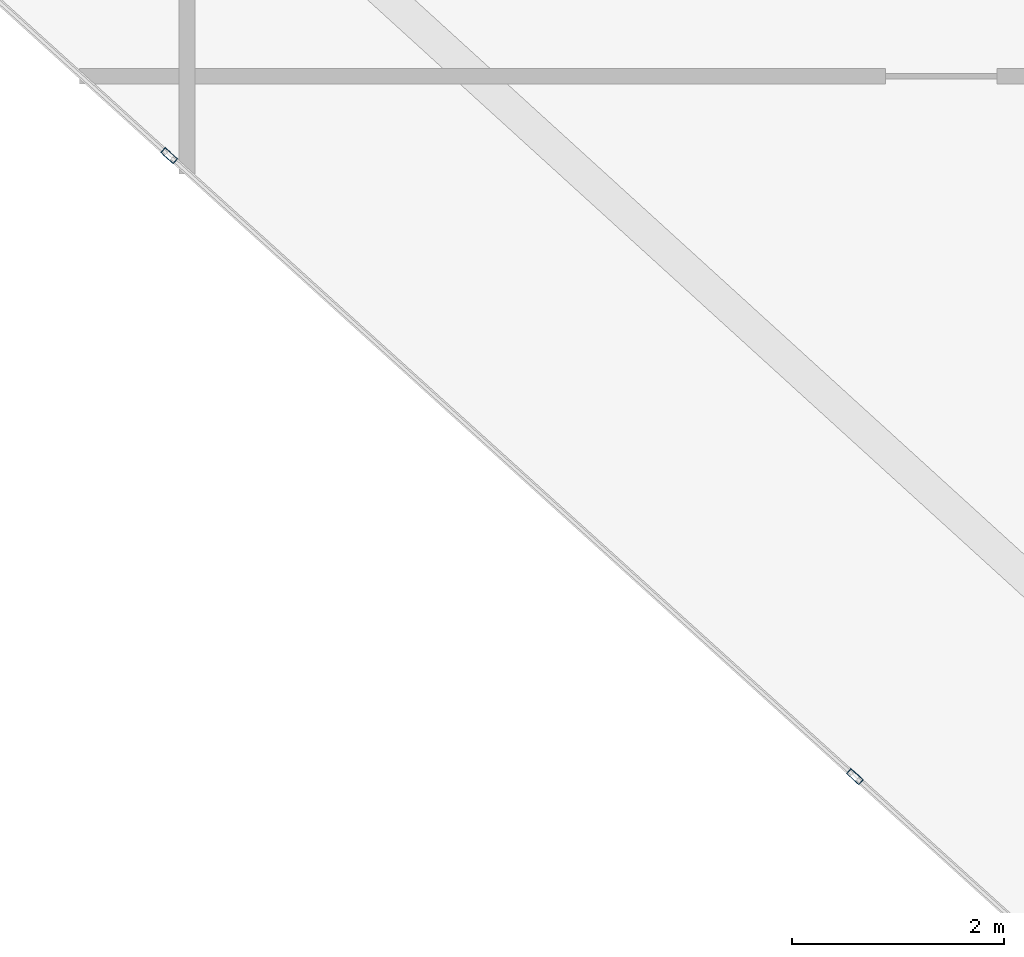
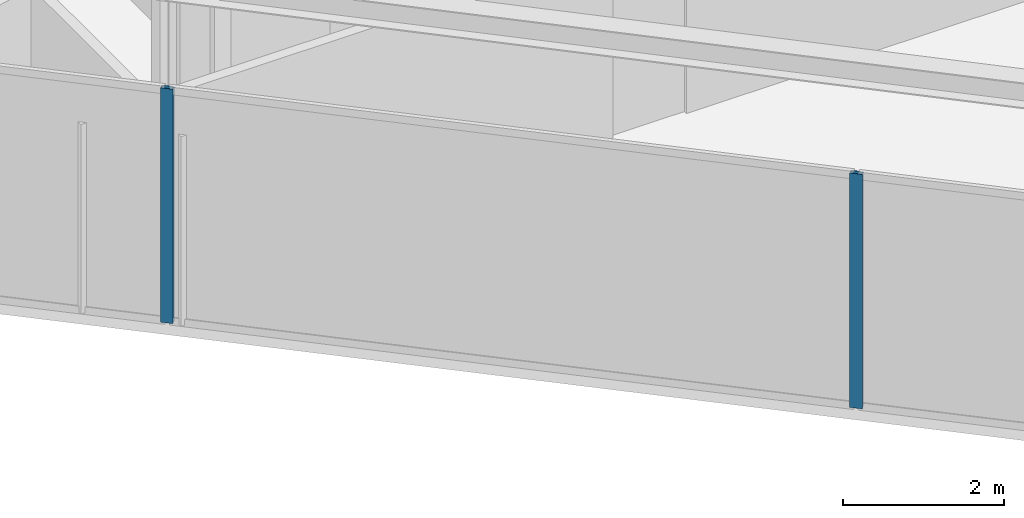
# One storey, part 3 of 16: 2 members, 1 element without a shape of its own.
"""IFC4 building model written with IfcOpenShell, lengths in metres."""

from ifc_helpers import new_model, si_unit, direction, frame, origin, origin_2d, place, context, subcontext, project, spatial, hollow_rectangle, extrude, material, layer, layer_set, material_profile, profile_set, type_object, element, aggregate, save


model = new_model("IFC4")

# Units and contexts
model_context = context("Model", 3, precision=1e-05, world=origin(), true_north=direction((0.0, 1.0)))
body_context = subcontext(model_context, "Body", "Model", "MODEL_VIEW")
ifc_project = project(units=[si_unit("LENGTHUNIT", "METRE"), si_unit("AREAUNIT", "SQUARE_METRE"), si_unit("VOLUMEUNIT", "CUBIC_METRE"), si_unit("PLANEANGLEUNIT", "RADIAN"), si_unit("MASSUNIT", "GRAM", prefix="KILO")], contexts=[model_context])

# Site, building, storey
site_placement = place(None, origin())
site = spatial("IfcSite", under=ifc_project, at=site_placement, CompositionType="ELEMENT")
building_placement = place(site_placement, origin())
building = spatial("IfcBuilding", under=site, at=building_placement, Name="Qianvela Tower", CompositionType="ELEMENT")
storey_placement = place(building_placement, frame((0.0, 0.0, 367.550048828125)))
storey = spatial("IfcBuildingStorey", under=building, at=storey_placement, Name="L95", CompositionType="ELEMENT", Elevation=367.550048828125)

# Curtain wall, members
ifc_material_1 = material(Name="Anodised Architectural Aluminium and Low-E Glass", Category="aluminium")
ifc_layer = layer(ifc_material_1, 0.159912109375)
ifc_layer_set = layer_set([ifc_layer], Name="Anodised Architectural Aluminium and Low-E Glass")
curtain_wall_type = type_object("IfcCurtainWallType", Name="CW-CROWN", PredefinedType="USERDEFINED", material=ifc_layer_set)
curtain_wall_placement = place(storey_placement, origin())
curtain_wall = element("IfcCurtainWall", 1, at=curtain_wall_placement, inside=storey, type_object=curtain_wall_type, Name="L95 CW-CROWN Curtain Wall 04", ObjectType="CURTAIN_WALL_SYSTEM", PredefinedType="USERDEFINED")
ifc_material_2 = material(Name="Anodised Architectural Aluminium 6063-T6", Category="aluminium")
ifc_material_profile = material_profile(ifc_material_2, hollow_rectangle(XDim=0.06494140625, YDim=0.159912109375, WallThickness=0.0048828125, at=origin_2d()), Name="ALU-MULL-65x160")
ifc_profile_set = profile_set([ifc_material_profile], Name="Anodised Architectural Aluminium 6063-T6")
member_type = type_object("IfcMemberType", Name="CW-CROWN-MULL", PredefinedType="MULLION", material=ifc_profile_set)
member_1_placement = place(storey_placement, frame((26.060546875, 19.880126953125, 0.0), z_axis=(0.0, 0.0, 1.0), x_axis=(0.671204546538, 0.741272188003, 0.0)))
member_1 = element("IfcMember", 2, at=member_1_placement, type_object=member_type, Name="CW-8 mullion 2", PredefinedType="MULLION", context=body_context, shape_type="SweptSolid", body=[
    extrude(hollow_rectangle(XDim=0.06494140625, YDim=0.159912109375, WallThickness=0.0048828125, at=origin_2d()), origin(), (0.0, 0.0, 1.0), 3.550048828125),
])
member_2_placement = place(storey_placement, frame((32.542236328125, 14.010986328125, 0.0), z_axis=(0.0, 0.0, 1.0), x_axis=(0.671204546538, 0.741272188003, 0.0)))
member_2 = element("IfcMember", 3, at=member_2_placement, type_object=member_type, Name="CW-8 mullion 3", PredefinedType="MULLION", context=body_context, shape_type="SweptSolid", body=[
    extrude(hollow_rectangle(XDim=0.06494140625, YDim=0.159912109375, WallThickness=0.0048828125, at=origin_2d()), origin(), (0.0, 0.0, 1.0), 3.550048828125),
])
aggregate(curtain_wall, [member_1, member_2])

save(model, "model.ifc")
